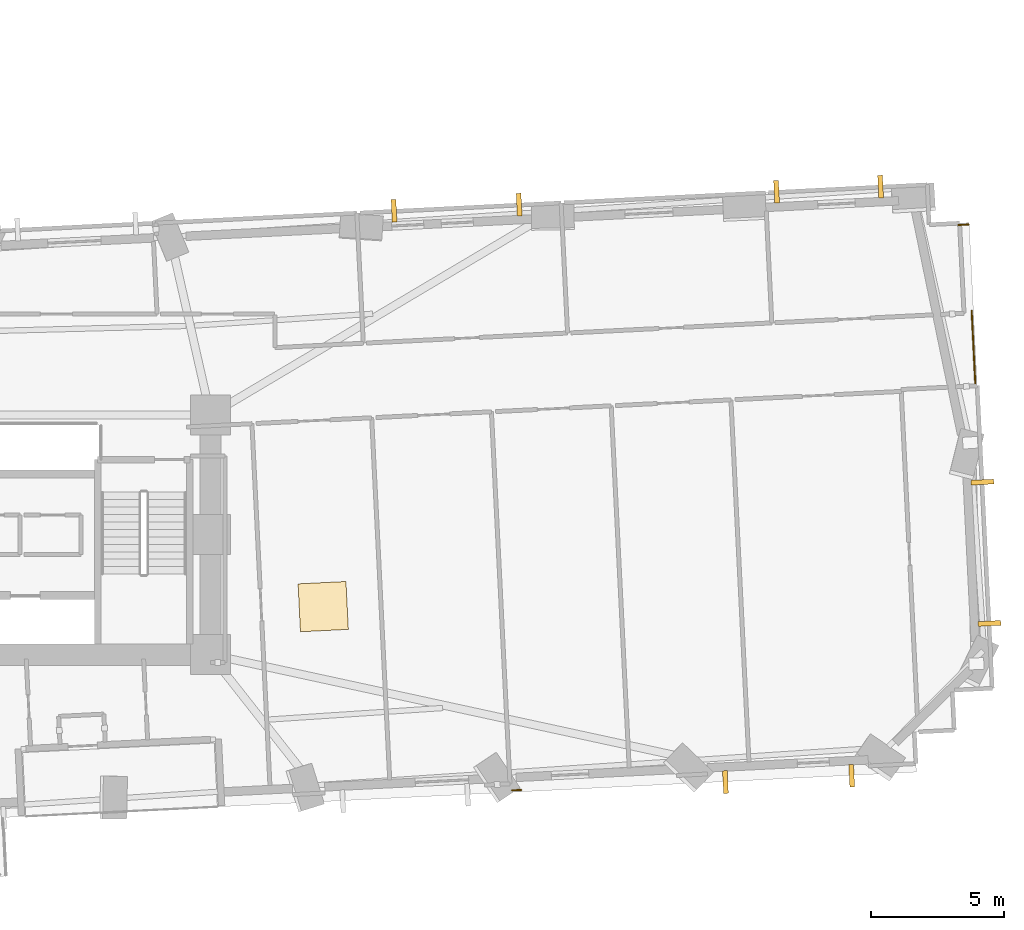
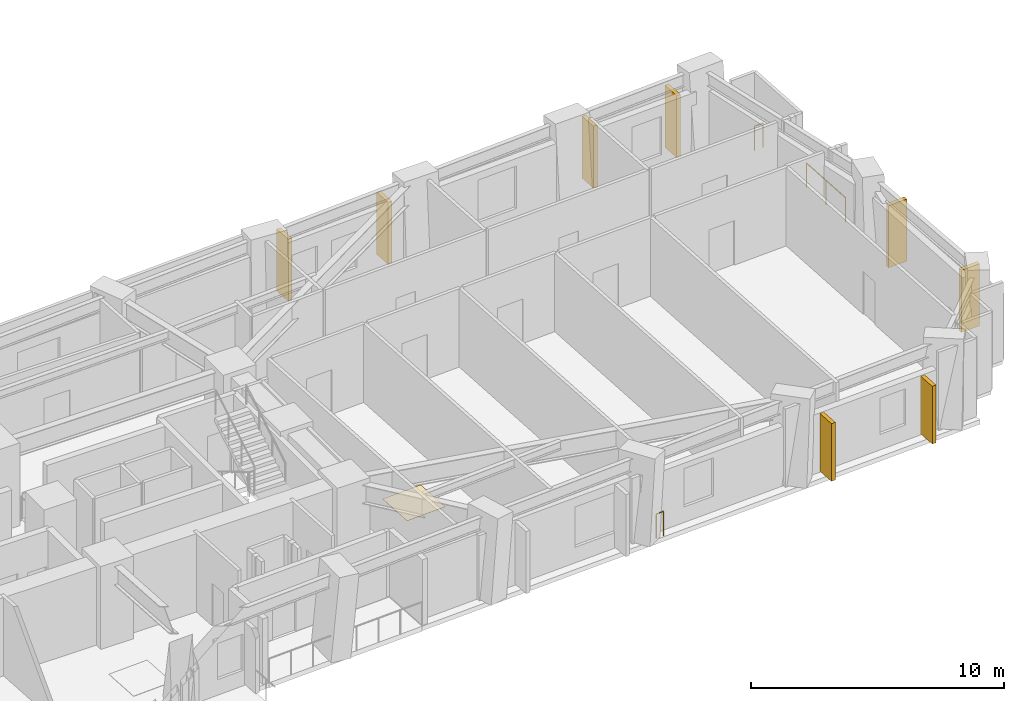
# One storey, part 14 of 15: 8 shading devices, 3 railings, 1 covering.
"""IFC4 building model written with IfcOpenShell, lengths in metres."""

from ifc_helpers import new_model, si_unit, direction, frame, origin, origin_2d, place, context, subcontext, project, spatial, rectangle, circle, extrude, material, layer, layer_set, type_object, element, save


model = new_model("IFC4")

# Units and contexts
model_context = context("Model", 3, precision=1e-05, world=origin(), true_north=direction((0.0, 1.0)))
body_context = subcontext(model_context, "Body", "Model", "MODEL_VIEW")
ifc_project = project(units=[si_unit("LENGTHUNIT", "METRE"), si_unit("AREAUNIT", "SQUARE_METRE"), si_unit("VOLUMEUNIT", "CUBIC_METRE"), si_unit("PLANEANGLEUNIT", "RADIAN"), si_unit("MASSUNIT", "GRAM", prefix="KILO")], contexts=[model_context])

# Site, building, storey
site_placement = place(None, origin())
site = spatial("IfcSite", under=ifc_project, at=site_placement, CompositionType="ELEMENT")
building_placement = place(site_placement, origin())
building = spatial("IfcBuilding", under=site, at=building_placement, Name="Gaonmaruhae Medical Tower", CompositionType="ELEMENT")
storey_placement = place(building_placement, frame((0.0, 0.0, 35.0)))
storey = spatial("IfcBuildingStorey", under=building, at=storey_placement, Name="L07", CompositionType="ELEMENT", Elevation=35.0)

# Covering
ifc_material_1 = material(Name="Seamless clinical vinyl flooring", Category="finish")
ifc_layer_1 = layer(ifc_material_1, 0.014892578125)
ifc_layer_set_1 = layer_set([ifc_layer_1], Name="Seamless clinical vinyl flooring")
covering_type = type_object("IfcCoveringType", Name="FLR-01 Seamless Clinical Antistatic Vinyl Flooring", PredefinedType="FLOORING", material=ifc_layer_set_1)
covering_placement = place(storey_placement, frame((39.83349609375, 9.60107421875, 0.0), z_axis=(0.0, 0.0, 1.0), x_axis=(0.998763127564, 0.049721373869, 0.0)))
element("IfcCovering", 1, at=covering_placement, inside=storey, type_object=covering_type, Name="L07 Clinical Room Vinyl Flooring 4", PredefinedType="FLOORING", context=body_context, shape_type="SweptSolid", body=[
    extrude(rectangle(XDim=1.800048828125, YDim=1.800048828125, at=origin_2d()), origin(), (0.0, 0.0, 1.0), 0.014892578125),
])

# Railings
ifc_material_2 = material(Name="Stainless steel 316L and laminated safety glass", Category="steel")
ifc_layer_2 = layer(ifc_material_2, 0.080078125)
ifc_layer_set_2 = layer_set([ifc_layer_2], Name="Stainless steel 316L and laminated safety glass")
railing_type = type_object("IfcRailingType", Name="GD-120 Outdoor Terrace Safety Glass & Steel Balustrade", PredefinedType="BALUSTRADE", material=ifc_layer_set_2)
railing_1_placement = place(storey_placement, frame((63.66748046875, 23.923828125, 0.0)))
element("IfcRailing", 2, at=railing_1_placement, inside=storey, type_object=railing_type, Name="L07 Perimeter Slab Edge Safety Balustrade 05", PredefinedType="BALUSTRADE", context=body_context, shape_type="SweptSolid", body=[
    extrude(circle(Radius=0.02392578125, at=origin_2d()), frame((0.0, 0.0, 1.17578125), z_axis=(0.998735253644, 0.050278157579, 0.0), x_axis=(-0.050278157579, 0.998735253644, 0.0)), (0.0, 0.0, 1.0), 0.393310546875),
    extrude(circle(Radius=0.02099609375, at=origin_2d()), origin(), (0.0, 0.0, 1.0), 1.15185546875),
    extrude(circle(Radius=0.02099609375, at=origin_2d()), frame((0.392822265625, 0.019775390625, 0.0)), (0.0, 0.0, 1.0), 1.15185546875),
])
railing_2_placement = place(storey_placement, frame((64.171630859375, 20.7021484375, 0.0)))
element("IfcRailing", 3, at=railing_2_placement, inside=storey, type_object=railing_type, Name="L07 Perimeter Slab Edge Safety Balustrade 06", PredefinedType="BALUSTRADE", context=body_context, shape_type="SweptSolid", body=[
    extrude(circle(Radius=0.02392578125, at=origin_2d()), frame((0.0, 0.0, 1.17578125), z_axis=(0.049714543941, -0.998763467554, 0.0), x_axis=(0.998763467554, 0.049714543941, 0.0)), (0.0, 0.0, 1.0), 2.83837890625),
    extrude(circle(Radius=0.02099609375, at=origin_2d()), origin(), (0.0, 0.0, 1.0), 1.15185546875),
    extrude(circle(Radius=0.02099609375, at=origin_2d()), frame((0.070556640625, -1.41748046875, 0.0)), (0.0, 0.0, 1.0), 1.15185546875),
    extrude(circle(Radius=0.02099609375, at=origin_2d()), frame((0.14111328125, -2.8349609375, 0.0)), (0.0, 0.0, 1.0), 1.15185546875),
])
railing_3_placement = place(storey_placement, frame((47.260986328125, 2.721923828125, 0.0)))
element("IfcRailing", 4, at=railing_3_placement, inside=storey, type_object=railing_type, Name="L07 Perimeter Slab Edge Safety Balustrade 07", PredefinedType="BALUSTRADE", context=body_context, shape_type="SweptSolid", body=[
    extrude(circle(Radius=0.02392578125, at=origin_2d()), frame((0.0, 0.0, 1.17578125), z_axis=(-0.998771957621, -0.049543684454, 0.0), x_axis=(0.049543684454, -0.998771957621, 0.0)), (0.0, 0.0, 1.0), 0.340087890625),
    extrude(circle(Radius=0.02099609375, at=origin_2d()), origin(), (0.0, 0.0, 1.0), 1.15185546875),
    extrude(circle(Radius=0.02099609375, at=origin_2d()), frame((-0.339599609375, -0.016845703125, 0.0)), (0.0, 0.0, 1.0), 1.15185546875),
])

# Shading devices
ifc_material_3 = material(Name="Pigmented coral precast concrete C45/55", Category="concrete")
shading_device_type = type_object("IfcShadingDeviceType", Name="SD-FIN1 Tower Vertical Coral Precast Shading Fin", PredefinedType="USERDEFINED", material=ifc_material_3)
for number, where, z_axis, x_axis, name in (
    (5, (59.66845703125, 3.25439453125, 0.0400390625), (0.0, 0.0, 1.0), (-0.998763127564, -0.049721373869, 0.0), "L07 Vertical Coral Precast Shading Fin S07"),
    (6, (54.9296875, 3.0185546875, 0.0400390625), (0.0, 0.0, 1.0), (-0.998763127564, -0.049721373869, 0.0), "L07 Vertical Coral Precast Shading Fin S07B"),
):
    element("IfcShadingDevice", number, at=place(storey_placement, frame(where, z_axis=z_axis, x_axis=x_axis)), inside=storey, type_object=shading_device_type, Name=name, ObjectType="FIN", PredefinedType="USERDEFINED", context=body_context, shape_type="SweptSolid", body=[
        extrude(rectangle(XDim=0.179931640625, YDim=0.85009765625, at=origin_2d()), origin(), (0.0, 0.0, 1.0), 2.784912109375),
    ])
for number, where, z_axis, x_axis, name in (
    (7, (64.57666015625, 14.274169921875, 0.08251953125), (0.0, 0.0, 1.0), (0.049703942156, -0.998763995213, 0.0), "L07 Vertical Coral Precast Shading Fin E01"),
    (8, (64.8408203125, 8.970458984375, 0.08251953125), (0.0, 0.0, 1.0), (0.049703942156, -0.998763995213, 0.0), "L07 Vertical Coral Precast Shading Fin E01B"),
    (9, (56.849853515625, 25.17138671875, 0.08251953125), (0.0, 0.0, 1.0), (0.998763127564, 0.049721373869, 0.0), "L07 Vertical Coral Precast Shading Fin E03"),
    (10, (60.754150390625, 25.365966796875, 0.08251953125), (0.0, 0.0, 1.0), (0.998763127564, 0.049721373869, 0.0), "L07 Vertical Coral Precast Shading Fin E03B"),
    (11, (42.493408203125, 24.456787109375, 0.08251953125), (0.0, 0.0, 1.0), (0.99876225961, 0.049738805566, 0.0), "L07 Vertical Coral Precast Shading Fin EN02"),
    (12, (47.18701171875, 24.6904296875, 0.08251953125), (0.0, 0.0, 1.0), (0.99876225961, 0.049738805566, 0.0), "L07 Vertical Coral Precast Shading Fin EN02B"),
):
    element("IfcShadingDevice", number, at=place(storey_placement, frame(where, z_axis=z_axis, x_axis=x_axis)), inside=storey, type_object=shading_device_type, Name=name, ObjectType="FIN", PredefinedType="USERDEFINED", context=body_context, shape_type="SweptSolid", body=[
        extrude(rectangle(XDim=0.179931640625, YDim=0.85009765625, at=origin_2d()), origin(), (0.0, 0.0, 1.0), 3.0),
    ])

save(model, "model.ifc")
